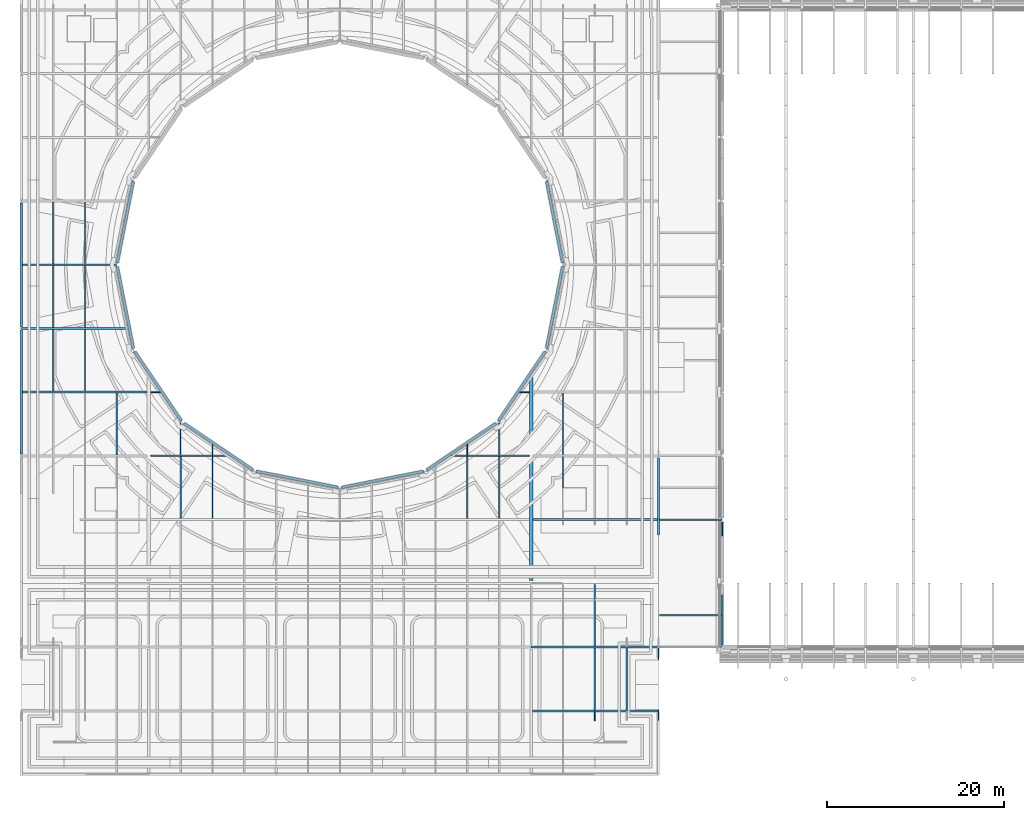
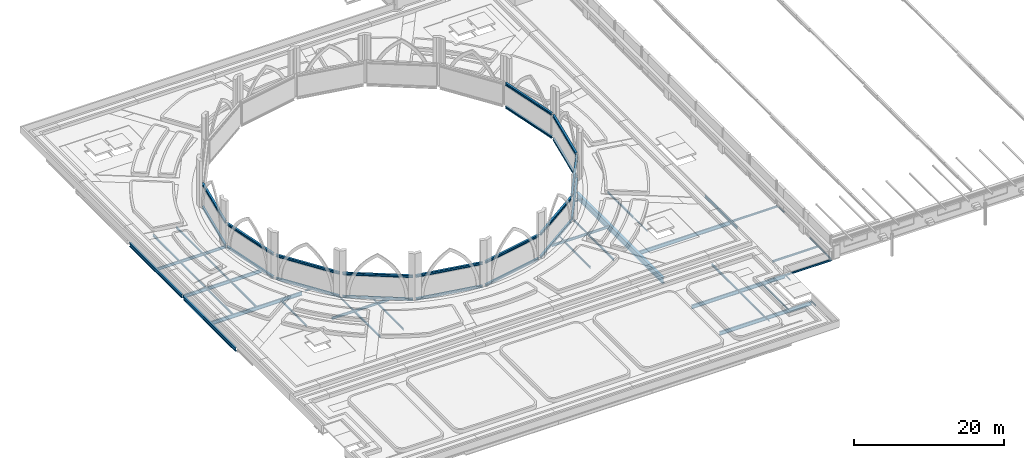
# One storey, part 21 of 110: 62 beams.
"""IFC4 building model written with IfcOpenShell, lengths in metres."""

from ifc_helpers import new_model, si_unit, direction, frame, origin, origin_2d, place, context, subcontext, project, spatial, i_section, extrude, material, material_profile, profile_set, type_object, element, save


model = new_model("IFC4")

# Units and contexts
model_context = context("Model", 3, precision=1e-05, world=origin(), true_north=direction((0.0, 1.0)))
body_context = subcontext(model_context, "Body", "Model", "MODEL_VIEW")
ifc_project = project(units=[si_unit("LENGTHUNIT", "METRE"), si_unit("AREAUNIT", "SQUARE_METRE"), si_unit("VOLUMEUNIT", "CUBIC_METRE"), si_unit("PLANEANGLEUNIT", "RADIAN"), si_unit("MASSUNIT", "GRAM", prefix="KILO")], contexts=[model_context])

# Site, building, storey
site_placement = place(None, origin())
site = spatial("IfcSite", under=ifc_project, at=site_placement, CompositionType="ELEMENT")
building_placement = place(site_placement, origin())
building = spatial("IfcBuilding", under=site, at=building_placement, Name="Kupolbacken Congress Centre", CompositionType="ELEMENT")
storey_placement = place(building_placement, frame((0.0, 0.0, 18.0)))
storey = spatial("IfcBuildingStorey", under=building, at=storey_placement, Name="L05", CompositionType="ELEMENT", Elevation=18.0)

# Beams
ifc_material_1 = material(Name="Steel S355", Category="steel")
ifc_material_profile_1 = material_profile(ifc_material_1, i_section(OverallWidth=0.10009765625, OverallDepth=0.199951171875, WebThickness=0.005615234375, FlangeThickness=0.008544921875, FilletRadius=0.011962890625, at=origin_2d()), Name="IPE 200")
ifc_profile_set_1 = profile_set([ifc_material_profile_1], Name="Steel S355")
beam_type_1 = type_object("IfcBeamType", Name="B01 beam IPE 200", PredefinedType="BEAM", material=ifc_profile_set_1)
beam_1_placement = place(storey_placement, frame((79.199951171875, 34.925048828125, -0.280029296875), z_axis=(0.0, 1.0, 0.0), x_axis=(-1.0, 0.0, 0.0)))
element("IfcBeam", 1, at=beam_1_placement, inside=storey, type_object=beam_type_1, Name="S/floor/F/L05/G012", PredefinedType="BEAM", context=body_context, shape_type="SweptSolid", body=[
    extrude(i_section(OverallWidth=0.10009765625, OverallDepth=0.199951171875, WebThickness=0.005615234375, FlangeThickness=0.008544921875, FilletRadius=0.011962890625, at=origin_2d()), origin(), (0.0, 0.0, 1.0), 1.184814453125),
])
beam_2_placement = place(storey_placement, frame((79.199951171875, 41.75, -0.280029296875), z_axis=(0.0, 1.0, 0.0), x_axis=(-1.0, 0.0, 0.0)))
element("IfcBeam", 2, at=beam_2_placement, inside=storey, type_object=beam_type_1, Name="S/floor/F/L05/G013", PredefinedType="BEAM", context=body_context, shape_type="SweptSolid", body=[
    extrude(i_section(OverallWidth=0.10009765625, OverallDepth=0.199951171875, WebThickness=0.005615234375, FlangeThickness=0.008544921875, FilletRadius=0.011962890625, at=origin_2d()), origin(), (0.0, 0.0, 1.0), 1.300048828125),
])
beam_3_placement = place(storey_placement, frame((72.0, 34.89990234375, -0.280029296875), z_axis=(0.0, 1.0, 0.0), x_axis=(-1.0, 0.0, 0.0)))
element("IfcBeam", 3, at=beam_3_placement, inside=storey, type_object=beam_type_1, Name="S/floor/F/L05/S074", PredefinedType="BEAM", context=body_context, shape_type="SweptSolid", body=[
    extrude(i_section(OverallWidth=0.10009765625, OverallDepth=0.199951171875, WebThickness=0.005615234375, FlangeThickness=0.008544921875, FilletRadius=0.011962890625, at=origin_2d()), origin(), (0.0, 0.0, 1.0), 0.989990234375),
])
for number, where, z_axis, x_axis, name in (
    (4, (21.800048828125, 72.0, -0.280029296875), (1.0, 0.0, 0.0), (0.0, 1.0, 0.0), "S/floor/P/L05/R048"),
    (5, (63.50927734375, 72.0, -0.280029296875), (1.0, 0.0, 0.0), (0.0, 1.0, 0.0), "S/floor/P/L05/R049"),
):
    element("IfcBeam", number, at=place(storey_placement, frame(where, z_axis=z_axis, x_axis=x_axis)), inside=storey, type_object=beam_type_1, Name=name, PredefinedType="BEAM", context=body_context, shape_type="SweptSolid", body=[
        extrude(i_section(OverallWidth=0.10009765625, OverallDepth=0.199951171875, WebThickness=0.005615234375, FlangeThickness=0.008544921875, FilletRadius=0.011962890625, at=origin_2d()), origin(), (0.0, 0.0, 1.0), 1.0908203125),
    ])
for number, where, z_axis, x_axis, name in (
    (6, (28.800048828125, 64.889892578125, -0.280029296875), (0.0, 1.0, 0.0), (-1.0, 0.0, 0.0), "S/floor/P/L05/S104"),
    (7, (57.60009765625, 64.889892578125, -0.280029296875), (0.0, 1.0, 0.0), (-1.0, 0.0, 0.0), "S/floor/P/L05/S130"),
):
    element("IfcBeam", number, at=place(storey_placement, frame(where, z_axis=z_axis, x_axis=x_axis)), inside=storey, type_object=beam_type_1, Name=name, PredefinedType="BEAM", context=body_context, shape_type="SweptSolid", body=[
        extrude(i_section(OverallWidth=0.10009765625, OverallDepth=0.199951171875, WebThickness=0.005615234375, FlangeThickness=0.008544921875, FilletRadius=0.011962890625, at=origin_2d()), origin(), (0.0, 0.0, 1.0), 1.200927734375),
    ])
beam_4_placement = place(storey_placement, frame((68.39990234375, 61.199951171875, -0.280029296875), z_axis=(0.0, 1.0, 0.0), x_axis=(-1.0, 0.0, 0.0)))
element("IfcBeam", 8, at=beam_4_placement, inside=storey, type_object=beam_type_1, Name="S/floor/P/L05/S167", PredefinedType="BEAM", context=body_context, shape_type="SweptSolid", body=[
    extrude(i_section(OverallWidth=0.10009765625, OverallDepth=0.199951171875, WebThickness=0.005615234375, FlangeThickness=0.008544921875, FilletRadius=0.011962890625, at=origin_2d()), origin(), (0.0, 0.0, 1.0), 3.489990234375),
])
beam_5_placement = place(storey_placement, frame((86.39990234375, 55.800048828125, -0.280029296875), z_axis=(0.0, 1.0, 0.0), x_axis=(-1.0, 0.0, 0.0)))
element("IfcBeam", 9, at=beam_5_placement, inside=storey, type_object=beam_type_1, Name="S/floor/LINK/L05/E002", PredefinedType="BEAM", context=body_context, shape_type="SweptSolid", body=[
    extrude(i_section(OverallWidth=0.10009765625, OverallDepth=0.199951171875, WebThickness=0.005615234375, FlangeThickness=0.008544921875, FilletRadius=0.011962890625, at=origin_2d()), origin(), (0.0, 0.0, 1.0), 1.554931640625),
])
ifc_material_2 = material(Name="Steel S355", Category="steel")
ifc_material_profile_2 = material_profile(ifc_material_2, i_section(OverallWidth=0.135009765625, OverallDepth=0.27001953125, WebThickness=0.006591796875, FlangeThickness=0.01025390625, FilletRadius=0.014892578125, at=origin_2d()), Name="IPE 270")
ifc_profile_set_2 = profile_set([ifc_material_profile_2], Name="Steel S355")
beam_type_2 = type_object("IfcBeamType", Name="B03 beam IPE 270", PredefinedType="BEAM", material=ifc_profile_set_2)
for number, where, z_axis, x_axis, name in (
    (10, (25.199951171875, 64.889892578125, -0.31494140625), (0.0, 1.0, 0.0), (-1.0, 0.0, 0.0), "S/floor/P/L05/S098"),
    (11, (61.199951171875, 64.889892578125, -0.31494140625), (0.0, 1.0, 0.0), (-1.0, 0.0, 0.0), "S/floor/P/L05/S136"),
):
    element("IfcBeam", number, at=place(storey_placement, frame(where, z_axis=z_axis, x_axis=x_axis)), inside=storey, type_object=beam_type_2, Name=name, PredefinedType="BEAM", context=body_context, shape_type="SweptSolid", body=[
        extrude(i_section(OverallWidth=0.135009765625, OverallDepth=0.27001953125, WebThickness=0.006591796875, FlangeThickness=0.01025390625, FilletRadius=0.014892578125, at=origin_2d()), origin(), (0.0, 0.0, 1.0), 3.63818359375),
    ])
beam_6_placement = place(storey_placement, frame((86.39990234375, 43.344970703125, -0.31494140625), z_axis=(0.0, 1.0, 0.0), x_axis=(-1.0, 0.0, 0.0)))
element("IfcBeam", 12, at=beam_6_placement, inside=storey, type_object=beam_type_2, Name="S/floor/LINK/L05/E001", PredefinedType="BEAM", context=body_context, shape_type="SweptSolid", body=[
    extrude(i_section(OverallWidth=0.135009765625, OverallDepth=0.27001953125, WebThickness=0.006591796875, FlangeThickness=0.01025390625, FilletRadius=0.014892578125, at=origin_2d()), origin(), (0.0, 0.0, 1.0), 5.755126953125),
])
ifc_material_3 = material(Name="Steel S355", Category="steel")
ifc_material_profile_3 = material_profile(ifc_material_3, i_section(OverallWidth=0.14990234375, OverallDepth=0.300048828125, WebThickness=0.007080078125, FlangeThickness=0.0107421875, FilletRadius=0.014892578125, at=origin_2d()), Name="IPE 300")
ifc_profile_set_3 = profile_set([ifc_material_profile_3], Name="Steel S355")
beam_type_3 = type_object("IfcBeamType", Name="B04 beam IPE 300", PredefinedType="BEAM", material=ifc_profile_set_3)
beam_7_placement = place(storey_placement, frame((72.0, 36.110107421875, -0.330078125), z_axis=(0.0, 1.0, 0.0), x_axis=(-1.0, 0.0, 0.0)))
element("IfcBeam", 13, at=beam_7_placement, inside=storey, type_object=beam_type_3, Name="S/floor/F/L05/S075", PredefinedType="BEAM", context=body_context, shape_type="SweptSolid", body=[
    extrude(i_section(OverallWidth=0.14990234375, OverallDepth=0.300048828125, WebThickness=0.007080078125, FlangeThickness=0.0107421875, FilletRadius=0.014892578125, at=origin_2d()), origin(), (0.0, 0.0, 1.0), 6.97998046875),
])
beam_8_placement = place(storey_placement, frame((72.0, 43.31005859375, -0.330078125), z_axis=(0.0, 1.0, 0.0), x_axis=(-1.0, 0.0, 0.0)))
element("IfcBeam", 14, at=beam_8_placement, inside=storey, type_object=beam_type_3, Name="S/floor/F/L05/S076", PredefinedType="BEAM", context=body_context, shape_type="SweptSolid", body=[
    extrude(i_section(OverallWidth=0.14990234375, OverallDepth=0.300048828125, WebThickness=0.007080078125, FlangeThickness=0.0107421875, FilletRadius=0.014892578125, at=origin_2d()), origin(), (0.0, 0.0, 1.0), 6.96484375),
])
beam_9_placement = place(storey_placement, frame((75.60009765625, 36.110107421875, -0.330078125), z_axis=(0.0, 1.0, 0.0), x_axis=(-1.0, 0.0, 0.0)))
element("IfcBeam", 15, at=beam_9_placement, inside=storey, type_object=beam_type_3, Name="S/floor/F/L05/S078", PredefinedType="BEAM", context=body_context, shape_type="SweptSolid", body=[
    extrude(i_section(OverallWidth=0.14990234375, OverallDepth=0.300048828125, WebThickness=0.007080078125, FlangeThickness=0.0107421875, FilletRadius=0.014892578125, at=origin_2d()), origin(), (0.0, 0.0, 1.0), 6.97998046875),
])
beam_10_placement = place(storey_placement, frame((10.800048828125, 72.110107421875, -0.330078125), z_axis=(0.0, 1.0, 0.0), x_axis=(-1.0, 0.0, 0.0)))
element("IfcBeam", 16, at=beam_10_placement, inside=storey, type_object=beam_type_3, Name="S/floor/P/L05/S078", PredefinedType="BEAM", context=body_context, shape_type="SweptSolid", body=[
    extrude(i_section(OverallWidth=0.14990234375, OverallDepth=0.300048828125, WebThickness=0.007080078125, FlangeThickness=0.0107421875, FilletRadius=0.014892578125, at=origin_2d()), origin(), (0.0, 0.0, 1.0), 6.98486328125),
])
for number, where, z_axis, x_axis, name in (
    (17, (10.800048828125, 79.304931640625, -0.330078125), (0.0, 1.0, 0.0), (-1.0, 0.0, 0.0), "S/floor/P/L05/S079"),
    (18, (10.800048828125, 86.4951171875, -0.330078125), (0.0, 1.0, 0.0), (-1.0, 0.0, 0.0), "S/floor/P/L05/S080"),
):
    element("IfcBeam", number, at=place(storey_placement, frame(where, z_axis=z_axis, x_axis=x_axis)), inside=storey, type_object=beam_type_3, Name=name, PredefinedType="BEAM", context=body_context, shape_type="SweptSolid", body=[
        extrude(i_section(OverallWidth=0.14990234375, OverallDepth=0.300048828125, WebThickness=0.007080078125, FlangeThickness=0.0107421875, FilletRadius=0.014892578125, at=origin_2d()), origin(), (0.0, 0.0, 1.0), 7.0),
    ])
beam_11_placement = place(storey_placement, frame((14.39990234375, 72.110107421875, -0.330078125), z_axis=(0.0, 1.0, 0.0), x_axis=(-1.0, 0.0, 0.0)))
element("IfcBeam", 19, at=beam_11_placement, inside=storey, type_object=beam_type_3, Name="S/floor/P/L05/S088", PredefinedType="BEAM", context=body_context, shape_type="SweptSolid", body=[
    extrude(i_section(OverallWidth=0.14990234375, OverallDepth=0.300048828125, WebThickness=0.007080078125, FlangeThickness=0.0107421875, FilletRadius=0.014892578125, at=origin_2d()), origin(), (0.0, 0.0, 1.0), 6.98486328125),
])
for number, where, z_axis, x_axis, name in (
    (20, (14.39990234375, 79.304931640625, -0.330078125), (0.0, 1.0, 0.0), (-1.0, 0.0, 0.0), "S/floor/P/L05/S089"),
    (21, (14.39990234375, 86.4951171875, -0.330078125), (0.0, 1.0, 0.0), (-1.0, 0.0, 0.0), "S/floor/P/L05/S090"),
    (22, (25.199951171875, 57.7099609375, -0.330078125), (0.0, 1.0, 0.0), (-1.0, 0.0, 0.0), "S/floor/P/L05/S097"),
    (23, (28.800048828125, 57.7099609375, -0.330078125), (0.0, 1.0, 0.0), (-1.0, 0.0, 0.0), "S/floor/P/L05/S103"),
    (24, (57.60009765625, 57.7099609375, -0.330078125), (0.0, 1.0, 0.0), (-1.0, 0.0, 0.0), "S/floor/P/L05/S129"),
    (25, (61.199951171875, 57.7099609375, -0.330078125), (0.0, 1.0, 0.0), (-1.0, 0.0, 0.0), "S/floor/P/L05/S135"),
):
    element("IfcBeam", number, at=place(storey_placement, frame(where, z_axis=z_axis, x_axis=x_axis)), inside=storey, type_object=beam_type_3, Name=name, PredefinedType="BEAM", context=body_context, shape_type="SweptSolid", body=[
        extrude(i_section(OverallWidth=0.14990234375, OverallDepth=0.300048828125, WebThickness=0.007080078125, FlangeThickness=0.0107421875, FilletRadius=0.014892578125, at=origin_2d()), origin(), (0.0, 0.0, 1.0), 7.0),
    ])
for number, where, z_axis, x_axis, name in (
    (26, (18.0, 64.909912109375, -0.330078125), (0.0, 1.0, 0.0), (-1.0, 0.0, 0.0), "S/floor/P/L05/S164"),
    (27, (68.39990234375, 64.909912109375, -0.330078125), (0.0, 1.0, 0.0), (-1.0, 0.0, 0.0), "S/floor/P/L05/S168"),
):
    element("IfcBeam", number, at=place(storey_placement, frame(where, z_axis=z_axis, x_axis=x_axis)), inside=storey, type_object=beam_type_3, Name=name, PredefinedType="BEAM", context=body_context, shape_type="SweptSolid", body=[
        extrude(i_section(OverallWidth=0.14990234375, OverallDepth=0.300048828125, WebThickness=0.007080078125, FlangeThickness=0.0107421875, FilletRadius=0.014892578125, at=origin_2d()), origin(), (0.0, 0.0, 1.0), 6.97998046875),
    ])
beam_12_placement = place(storey_placement, frame((79.20556640625, 43.199951171875, -0.330078125), z_axis=(1.0, 0.0, 0.0), x_axis=(0.0, 1.0, 0.0)))
element("IfcBeam", 28, at=beam_12_placement, inside=storey, type_object=beam_type_3, Name="S/floor/LINK/L05/R010", PredefinedType="BEAM", context=body_context, shape_type="SweptSolid", body=[
    extrude(i_section(OverallWidth=0.14990234375, OverallDepth=0.300048828125, WebThickness=0.007080078125, FlangeThickness=0.0107421875, FilletRadius=0.014892578125, at=origin_2d()), origin(), (0.0, 0.0, 1.0), 7.190185546875),
])
beam_13_placement = place(storey_placement, frame((79.324951171875, 46.800048828125, -0.330078125), z_axis=(1.0, 0.0, 0.0), x_axis=(0.0, 1.0, 0.0)))
element("IfcBeam", 29, at=beam_13_placement, inside=storey, type_object=beam_type_3, Name="S/floor/LINK/L05/R011", PredefinedType="BEAM", context=body_context, shape_type="SweptSolid", body=[
    extrude(i_section(OverallWidth=0.14990234375, OverallDepth=0.300048828125, WebThickness=0.007080078125, FlangeThickness=0.0107421875, FilletRadius=0.014892578125, at=origin_2d()), origin(), (0.0, 0.0, 1.0), 7.007568359375),
])
beam_14_placement = place(storey_placement, frame((79.2900390625, 57.60009765625, -0.330078125), z_axis=(1.0, 0.0, 0.0), x_axis=(0.0, 1.0, 0.0)))
element("IfcBeam", 30, at=beam_14_placement, inside=storey, type_object=beam_type_3, Name="S/floor/LINK/L05/R012", PredefinedType="BEAM", context=body_context, shape_type="SweptSolid", body=[
    extrude(i_section(OverallWidth=0.14990234375, OverallDepth=0.300048828125, WebThickness=0.007080078125, FlangeThickness=0.0107421875, FilletRadius=0.014892578125, at=origin_2d()), origin(), (0.0, 0.0, 1.0), 7.10400390625),
])
ifc_material_4 = material(Name="Steel S355", Category="steel")
ifc_material_profile_4 = material_profile(ifc_material_4, i_section(OverallWidth=0.179931640625, OverallDepth=0.39990234375, WebThickness=0.008544921875, FlangeThickness=0.013427734375, FilletRadius=0.02099609375, at=origin_2d()), Name="IPE 400")
ifc_profile_set_4 = profile_set([ifc_material_profile_4], Name="Steel S355")
beam_type_4 = type_object("IfcBeamType", Name="B07 beam IPE 400", PredefinedType="BEAM", material=ifc_profile_set_4)
beam_15_placement = place(storey_placement, frame((79.199951171875, 55.85009765625, -0.3798828125), z_axis=(0.0, 1.0, 0.0), x_axis=(-1.0, 0.0, 0.0)))
element("IfcBeam", 31, at=beam_15_placement, inside=storey, type_object=beam_type_4, Name="S/floor/P/L05/G032", PredefinedType="BEAM", context=body_context, shape_type="SweptSolid", body=[
    extrude(i_section(OverallWidth=0.179931640625, OverallDepth=0.39990234375, WebThickness=0.008544921875, FlangeThickness=0.013427734375, FilletRadius=0.02099609375, at=origin_2d()), origin(), (0.0, 0.0, 1.0), 8.724853515625),
])
beam_16_placement = place(storey_placement, frame((21.800048828125, 64.800048828125, -0.3798828125), z_axis=(1.0, 0.0, 0.0), x_axis=(0.0, 1.0, 0.0)))
element("IfcBeam", 32, at=beam_16_placement, inside=storey, type_object=beam_type_4, Name="S/floor/P/L05/R044", PredefinedType="BEAM", context=body_context, shape_type="SweptSolid", body=[
    extrude(i_section(OverallWidth=0.179931640625, OverallDepth=0.39990234375, WebThickness=0.008544921875, FlangeThickness=0.013427734375, FilletRadius=0.02099609375, at=origin_2d()), origin(), (0.0, 0.0, 1.0), 8.829345703125),
])
beam_17_placement = place(storey_placement, frame((55.7705078125, 64.800048828125, -0.3798828125), z_axis=(1.0, 0.0, 0.0), x_axis=(0.0, 1.0, 0.0)))
element("IfcBeam", 33, at=beam_17_placement, inside=storey, type_object=beam_type_4, Name="S/floor/P/L05/R045", PredefinedType="BEAM", context=body_context, shape_type="SweptSolid", body=[
    extrude(i_section(OverallWidth=0.179931640625, OverallDepth=0.39990234375, WebThickness=0.008544921875, FlangeThickness=0.013427734375, FilletRadius=0.02099609375, at=origin_2d()), origin(), (0.0, 0.0, 1.0), 8.82958984375),
])
ifc_material_5 = material(Name="Steel S355", Category="steel")
ifc_material_profile_5 = material_profile(ifc_material_5, i_section(OverallWidth=0.18994140625, OverallDepth=0.449951171875, WebThickness=0.009521484375, FlangeThickness=0.0146484375, FilletRadius=0.02099609375, at=origin_2d()), Name="IPE 450")
ifc_profile_set_5 = profile_set([ifc_material_profile_5], Name="Steel S355")
beam_type_5 = type_object("IfcBeamType", Name="B08 beam IPE 450", PredefinedType="BEAM", material=ifc_profile_set_5)
beam_18_placement = place(storey_placement, frame((7.35009765625, 86.39990234375, -0.405029296875), z_axis=(1.0, 0.0, 0.0), x_axis=(0.0, 1.0, 0.0)))
element("IfcBeam", 34, at=beam_18_placement, inside=storey, type_object=beam_type_5, Name="S/floor/P/L05/R053", PredefinedType="BEAM", context=body_context, shape_type="SweptSolid", body=[
    extrude(i_section(OverallWidth=0.18994140625, OverallDepth=0.449951171875, WebThickness=0.009521484375, FlangeThickness=0.0146484375, FilletRadius=0.02099609375, at=origin_2d()), origin(), (0.0, 0.0, 1.0), 10.64306640625),
])
ifc_material_6 = material(Name="Steel S355", Category="steel")
ifc_material_profile_6 = material_profile(ifc_material_6, i_section(OverallWidth=0.2099609375, OverallDepth=0.550048828125, WebThickness=0.010986328125, FlangeThickness=0.01708984375, FilletRadius=0.02392578125, at=origin_2d()), Name="IPE 550")
ifc_profile_set_6 = profile_set([ifc_material_profile_6], Name="Steel S355")
beam_type_6 = type_object("IfcBeamType", Name="B10 beam IPE 550", PredefinedType="BEAM", material=ifc_profile_set_6)
beam_19_placement = place(storey_placement, frame((7.20703125, 79.199951171875, -0.455078125), z_axis=(1.0, 0.0, 0.0), x_axis=(0.0, 1.0, 0.0)))
element("IfcBeam", 35, at=beam_19_placement, inside=storey, type_object=beam_type_6, Name="S/floor/P/L05/R051", PredefinedType="BEAM", context=body_context, shape_type="SweptSolid", body=[
    extrude(i_section(OverallWidth=0.2099609375, OverallDepth=0.550048828125, WebThickness=0.010986328125, FlangeThickness=0.01708984375, FilletRadius=0.02392578125, at=origin_2d()), origin(), (0.0, 0.0, 1.0), 12.037109375),
])
ifc_material_7 = material(Name="Steel S355", Category="steel")
ifc_material_profile_7 = material_profile(ifc_material_7, i_section(OverallWidth=0.219970703125, OverallDepth=0.60009765625, WebThickness=0.011962890625, FlangeThickness=0.01904296875, FilletRadius=0.02392578125, at=origin_2d()), Name="IPE 600")
ifc_profile_set_7 = profile_set([ifc_material_profile_7], Name="Steel S355")
beam_type_7 = type_object("IfcBeamType", Name="B11 beam IPE 600", PredefinedType="BEAM", material=ifc_profile_set_7)
beam_20_placement = place(storey_placement, frame((64.949951171875, 36.0, -0.47998046875), z_axis=(1.0, 0.0, 0.0), x_axis=(0.0, 1.0, 0.0)))
element("IfcBeam", 36, at=beam_20_placement, inside=storey, type_object=beam_type_7, Name="S/floor/F/L05/R024", PredefinedType="BEAM", context=body_context, shape_type="SweptSolid", body=[
    extrude(i_section(OverallWidth=0.219970703125, OverallDepth=0.60009765625, WebThickness=0.011962890625, FlangeThickness=0.01904296875, FilletRadius=0.02392578125, at=origin_2d()), origin(), (0.0, 0.0, 1.0), 14.199951171875),
])
beam_21_placement = place(storey_placement, frame((64.807861328125, 43.199951171875, -0.47998046875), z_axis=(1.0, 0.0, 0.0), x_axis=(0.0, 1.0, 0.0)))
element("IfcBeam", 37, at=beam_21_placement, inside=storey, type_object=beam_type_7, Name="S/floor/F/L05/R029", PredefinedType="BEAM", context=body_context, shape_type="SweptSolid", body=[
    extrude(i_section(OverallWidth=0.219970703125, OverallDepth=0.60009765625, WebThickness=0.011962890625, FlangeThickness=0.01904296875, FilletRadius=0.02392578125, at=origin_2d()), origin(), (0.0, 0.0, 1.0), 14.38671875),
])
beam_22_placement = place(storey_placement, frame((65.0, 57.60009765625, -0.47998046875), z_axis=(1.0, 0.0, 0.0), x_axis=(0.0, 1.0, 0.0)))
element("IfcBeam", 38, at=beam_22_placement, inside=storey, type_object=beam_type_7, Name="S/floor/P/L05/R042", PredefinedType="BEAM", context=body_context, shape_type="SweptSolid", body=[
    extrude(i_section(OverallWidth=0.219970703125, OverallDepth=0.60009765625, WebThickness=0.011962890625, FlangeThickness=0.01904296875, FilletRadius=0.02392578125, at=origin_2d()), origin(), (0.0, 0.0, 1.0), 14.110107421875),
])
beam_23_placement = place(storey_placement, frame((7.35009765625, 72.0, -0.47998046875), z_axis=(1.0, 0.0, 0.0), x_axis=(0.0, 1.0, 0.0)))
element("IfcBeam", 39, at=beam_23_placement, inside=storey, type_object=beam_type_7, Name="S/floor/P/L05/R047", PredefinedType="BEAM", context=body_context, shape_type="SweptSolid", body=[
    extrude(i_section(OverallWidth=0.219970703125, OverallDepth=0.60009765625, WebThickness=0.011962890625, FlangeThickness=0.01904296875, FilletRadius=0.02392578125, at=origin_2d()), origin(), (0.0, 0.0, 1.0), 14.0498046875),
])
ifc_material_8 = material(Name="Steel S355", Category="steel")
ifc_material_profile_8 = material_profile(ifc_material_8, i_section(OverallWidth=0.300048828125, OverallDepth=0.35009765625, WebThickness=0.010009765625, FlangeThickness=0.017578125, FilletRadius=0.027099609375, at=origin_2d()), Name="HEA 360")
ifc_profile_set_8 = profile_set([ifc_material_profile_8], Name="Steel S355")
beam_type_8 = type_object("IfcBeamType", Name="B13 beam HEA 360", PredefinedType="BEAM", material=ifc_profile_set_8)
for number, where, z_axis, x_axis, name in (
    (40, (68.360595703125, 86.60009765625, -0.35498046875), (-0.193191886678, 0.981160993376, 0.0), (-0.981160993376, -0.193191886678, 0.0), "S/floor/P/L05/C001"),
    (41, (19.860595703125, 95.849853515625, -0.35498046875), (-0.193191886678, -0.981160993376, 0.0), (0.981160993376, -0.193191886678, 0.0), "S/floor/P/L05/C008"),
    (42, (18.039306640625, 86.199951171875, -0.35498046875), (0.193191886678, -0.981160993376, 0.0), (0.981160993376, 0.193191886678, 0.0), "S/floor/P/L05/C009"),
):
    element("IfcBeam", number, at=place(storey_placement, frame(where, z_axis=z_axis, x_axis=x_axis)), inside=storey, type_object=beam_type_8, Name=name, PredefinedType="BEAM", context=body_context, shape_type="SweptSolid", body=[
        extrude(i_section(OverallWidth=0.300048828125, OverallDepth=0.35009765625, WebThickness=0.010009765625, FlangeThickness=0.017578125, FilletRadius=0.027099609375, at=origin_2d()), origin(), (0.0, 0.0, 1.0), 9.42724609375),
    ])
for number, where, z_axis, x_axis, name in (
    (43, (20.01416015625, 76.580810546875, -0.35498046875), (0.55939009895, -0.828904528397, 0.0), (0.828904528397, 0.55939009895, 0.0), "S/floor/P/L05/C010"),
    (44, (25.56884765625, 68.486083984375, -0.35498046875), (0.828904528397, -0.55939009895, 0.0), (0.55939009895, 0.828904528397, 0.0), "S/floor/P/L05/C011"),
):
    element("IfcBeam", number, at=place(storey_placement, frame(where, z_axis=z_axis, x_axis=x_axis)), inside=storey, type_object=beam_type_8, Name=name, PredefinedType="BEAM", context=body_context, shape_type="SweptSolid", body=[
        extrude(i_section(OverallWidth=0.300048828125, OverallDepth=0.35009765625, WebThickness=0.010009765625, FlangeThickness=0.017578125, FilletRadius=0.027099609375, at=origin_2d()), origin(), (0.0, 0.0, 1.0), 9.424560546875),
    ])
beam_24_placement = place(storey_placement, frame((33.750244140625, 63.060546875, -0.35498046875), z_axis=(0.981160993376, -0.193191886678, 0.0), x_axis=(0.193191886678, 0.981160993376, 0.0)))
element("IfcBeam", 45, at=beam_24_placement, inside=storey, type_object=beam_type_8, Name="S/floor/P/L05/C012", PredefinedType="BEAM", context=body_context, shape_type="SweptSolid", body=[
    extrude(i_section(OverallWidth=0.300048828125, OverallDepth=0.35009765625, WebThickness=0.010009765625, FlangeThickness=0.017578125, FilletRadius=0.027099609375, at=origin_2d()), origin(), (0.0, 0.0, 1.0), 9.42724609375),
])
beam_25_placement = place(storey_placement, frame((43.39990234375, 61.2392578125, -0.35498046875), z_axis=(0.981161959896, 0.193186977957, 0.0), x_axis=(-0.193186977957, 0.981161959896, 0.0)))
element("IfcBeam", 46, at=beam_25_placement, inside=storey, type_object=beam_type_8, Name="S/floor/P/L05/C013", PredefinedType="BEAM", context=body_context, shape_type="SweptSolid", body=[
    extrude(i_section(OverallWidth=0.300048828125, OverallDepth=0.35009765625, WebThickness=0.010009765625, FlangeThickness=0.017578125, FilletRadius=0.027099609375, at=origin_2d()), origin(), (0.0, 0.0, 1.0), 9.427490234375),
])
for number, where, z_axis, x_axis, name in (
    (47, (53.019287109375, 63.214111328125, -0.35498046875), (0.828896422049, 0.559402110752, 0.0), (-0.559402110752, 0.828896422049, 0.0), "S/floor/P/L05/C014"),
    (48, (61.114013671875, 68.768798828125, -0.35498046875), (0.559372299764, 0.828916539983, 0.0), (-0.828916539983, 0.559372299764, 0.0), "S/floor/P/L05/C015"),
):
    element("IfcBeam", number, at=place(storey_placement, frame(where, z_axis=z_axis, x_axis=x_axis)), inside=storey, type_object=beam_type_8, Name=name, PredefinedType="BEAM", context=body_context, shape_type="SweptSolid", body=[
        extrude(i_section(OverallWidth=0.300048828125, OverallDepth=0.35009765625, WebThickness=0.010009765625, FlangeThickness=0.017578125, FilletRadius=0.027099609375, at=origin_2d()), origin(), (0.0, 0.0, 1.0), 9.42431640625),
    ])
beam_26_placement = place(storey_placement, frame((66.539306640625, 76.9501953125, -0.35498046875), z_axis=(0.193191886678, 0.981160993376, 0.0), x_axis=(-0.981160993376, 0.193191886678, 0.0)))
element("IfcBeam", 49, at=beam_26_placement, inside=storey, type_object=beam_type_8, Name="S/floor/P/L05/C016", PredefinedType="BEAM", context=body_context, shape_type="SweptSolid", body=[
    extrude(i_section(OverallWidth=0.300048828125, OverallDepth=0.35009765625, WebThickness=0.010009765625, FlangeThickness=0.017578125, FilletRadius=0.027099609375, at=origin_2d()), origin(), (0.0, 0.0, 1.0), 9.42724609375),
])
ifc_material_9 = material(Name="Steel S355", Category="steel")
ifc_material_profile_9 = material_profile(ifc_material_9, i_section(OverallWidth=0.300048828125, OverallDepth=0.389892578125, WebThickness=0.010986328125, FlangeThickness=0.01904296875, FilletRadius=0.027099609375, at=origin_2d()), Name="HEA 400")
ifc_profile_set_9 = profile_set([ifc_material_profile_9], Name="Steel S355")
beam_type_9 = type_object("IfcBeamType", Name="B14 beam HEA 400", PredefinedType="BEAM", material=ifc_profile_set_9)
for number, where, z_axis, x_axis, name in (
    (50, (20.008544921875, 76.589111328125, 3.405029296875), (0.559392050563, -0.828903211338, 0.0), (0.828903211338, 0.559392050563, 0.0), "DR/G216/01"),
    (51, (25.560546875, 68.49169921875, 3.405029296875), (0.828903211338, -0.559392050563, 0.0), (0.559392050563, 0.828903211338, 0.0), "DR/G216/02"),
):
    element("IfcBeam", number, at=place(storey_placement, frame(where, z_axis=z_axis, x_axis=x_axis)), inside=storey, type_object=beam_type_9, Name=name, PredefinedType="BEAM", context=body_context, shape_type="SweptSolid", body=[
        extrude(i_section(OverallWidth=0.300048828125, OverallDepth=0.389892578125, WebThickness=0.010986328125, FlangeThickness=0.01904296875, FilletRadius=0.027099609375, at=origin_2d()), origin(), (0.0, 0.0, 1.0), 9.444580078125),
    ])
for number, where, z_axis, x_axis, name in (
    (52, (33.740234375, 63.0625, 3.405029296875), (0.981165641699, -0.193168277805, 0.0), (0.193168277805, 0.981165641699, 0.0), "DR/G216/03"),
    (53, (43.39013671875, 61.237548828125, 3.405029296875), (0.981165641699, 0.193168277805, 0.0), (-0.193168277805, 0.981165641699, 0.0), "DR/G216/04"),
):
    element("IfcBeam", number, at=place(storey_placement, frame(where, z_axis=z_axis, x_axis=x_axis)), inside=storey, type_object=beam_type_9, Name=name, PredefinedType="BEAM", context=body_context, shape_type="SweptSolid", body=[
        extrude(i_section(OverallWidth=0.300048828125, OverallDepth=0.389892578125, WebThickness=0.010986328125, FlangeThickness=0.01904296875, FilletRadius=0.027099609375, at=origin_2d()), origin(), (0.0, 0.0, 1.0), 9.447509765625),
    ])
for number, where, z_axis, x_axis, name in (
    (54, (53.010986328125, 63.20849609375, 3.405029296875), (0.828895122138, 0.559404036896, 0.0), (-0.559404036896, 0.828895122138, 0.0), "DR/G216/05"),
    (55, (61.1083984375, 68.760498046875, 3.405029296875), (0.559374289208, 0.828915197456, 0.0), (-0.828915197456, 0.559374289208, 0.0), "DR/G216/06"),
):
    element("IfcBeam", number, at=place(storey_placement, frame(where, z_axis=z_axis, x_axis=x_axis)), inside=storey, type_object=beam_type_9, Name=name, PredefinedType="BEAM", context=body_context, shape_type="SweptSolid", body=[
        extrude(i_section(OverallWidth=0.300048828125, OverallDepth=0.389892578125, WebThickness=0.010986328125, FlangeThickness=0.01904296875, FilletRadius=0.027099609375, at=origin_2d()), origin(), (0.0, 0.0, 1.0), 9.4443359375),
    ])
beam_27_placement = place(storey_placement, frame((66.53759765625, 76.9404296875, 3.405029296875), z_axis=(0.193173175746, 0.981164677397, 0.0), x_axis=(-0.981164677397, 0.193173175746, 0.0)))
element("IfcBeam", 56, at=beam_27_placement, inside=storey, type_object=beam_type_9, Name="DR/G216/07", PredefinedType="BEAM", context=body_context, shape_type="SweptSolid", body=[
    extrude(i_section(OverallWidth=0.300048828125, OverallDepth=0.389892578125, WebThickness=0.010986328125, FlangeThickness=0.01904296875, FilletRadius=0.027099609375, at=origin_2d()), origin(), (0.0, 0.0, 1.0), 9.447265625),
])
for number, where, z_axis, x_axis, name in (
    (57, (68.362548828125, 86.590087890625, 3.405029296875), (-0.193168277805, 0.981165641699, 0.0), (-0.981165641699, -0.193168277805, 0.0), "DR/G216/08"),
    (58, (19.862548828125, 95.859619140625, 3.405029296875), (-0.193193155264, -0.981160743588, 0.0), (0.981160743588, -0.193193155264, 0.0), "DR/G216/15"),
):
    element("IfcBeam", number, at=place(storey_placement, frame(where, z_axis=z_axis, x_axis=x_axis)), inside=storey, type_object=beam_type_9, Name=name, PredefinedType="BEAM", context=body_context, shape_type="SweptSolid", body=[
        extrude(i_section(OverallWidth=0.300048828125, OverallDepth=0.389892578125, WebThickness=0.010986328125, FlangeThickness=0.01904296875, FilletRadius=0.027099609375, at=origin_2d()), origin(), (0.0, 0.0, 1.0), 9.447509765625),
    ])
beam_28_placement = place(storey_placement, frame((18.037353515625, 86.209716796875, 3.405029296875), z_axis=(0.193198053787, -0.981159779044, 0.0), x_axis=(0.981159779044, 0.193198053787, 0.0)))
element("IfcBeam", 59, at=beam_28_placement, inside=storey, type_object=beam_type_9, Name="DR/G216/16", PredefinedType="BEAM", context=body_context, shape_type="SweptSolid", body=[
    extrude(i_section(OverallWidth=0.300048828125, OverallDepth=0.389892578125, WebThickness=0.010986328125, FlangeThickness=0.01904296875, FilletRadius=0.027099609375, at=origin_2d()), origin(), (0.0, 0.0, 1.0), 9.447265625),
])
ifc_material_10 = material(Name="Steel S355", Category="steel")
ifc_material_profile_10 = material_profile(ifc_material_10, i_section(OverallWidth=0.300048828125, OverallDepth=0.60009765625, WebThickness=0.015380859375, FlangeThickness=0.030029296875, FilletRadius=0.027099609375, at=origin_2d()), Name="HEB 600")
ifc_profile_set_10 = profile_set([ifc_material_profile_10], Name="Steel S355")
beam_type_10 = type_object("IfcBeamType", Name="B15 beam HEB 600", PredefinedType="BEAM", material=ifc_profile_set_10)
beam_29_placement = place(storey_placement, frame((7.199951171875, 65.02490234375, -0.47998046875), z_axis=(0.0, 1.0, 0.0), x_axis=(-1.0, 0.0, 0.0)))
element("IfcBeam", 60, at=beam_29_placement, inside=storey, type_object=beam_type_10, Name="S/floor/P/L05/G018", PredefinedType="BEAM", context=body_context, shape_type="SweptSolid", body=[
    extrude(i_section(OverallWidth=0.300048828125, OverallDepth=0.60009765625, WebThickness=0.015380859375, FlangeThickness=0.030029296875, FilletRadius=0.027099609375, at=origin_2d()), origin(), (0.0, 0.0, 1.0), 13.9501953125),
])
beam_30_placement = place(storey_placement, frame((7.199951171875, 79.425048828125, -0.47998046875), z_axis=(0.0, 1.0, 0.0), x_axis=(-1.0, 0.0, 0.0)))
element("IfcBeam", 61, at=beam_30_placement, inside=storey, type_object=beam_type_10, Name="S/floor/P/L05/G019", PredefinedType="BEAM", context=body_context, shape_type="SweptSolid", body=[
    extrude(i_section(OverallWidth=0.300048828125, OverallDepth=0.60009765625, WebThickness=0.015380859375, FlangeThickness=0.030029296875, FilletRadius=0.027099609375, at=origin_2d()), origin(), (0.0, 0.0, 1.0), 13.949951171875),
])
ifc_material_11 = material(Name="Steel S355", Category="steel")
ifc_material_profile_11 = material_profile(ifc_material_11, i_section(OverallWidth=0.39990234375, OverallDepth=1.0, WebThickness=0.02197265625, FlangeThickness=0.044921875, at=origin_2d()), Name="PG 1000 x 400")
ifc_profile_set_11 = profile_set([ifc_material_profile_11], Name="Steel S355")
beam_type_11 = type_object("IfcBeamType", Name="B23 beam PG 1000 x 400", PredefinedType="BEAM", material=ifc_profile_set_11)
beam_31_placement = place(storey_placement, frame((64.800048828125, 50.699951171875, -0.679931640625), z_axis=(0.0, 1.0, 0.0), x_axis=(-1.0, 0.0, 0.0)))
element("IfcBeam", 62, at=beam_31_placement, inside=storey, type_object=beam_type_11, Name="S/floor/P/L05/G029", PredefinedType="BEAM", context=body_context, shape_type="SweptSolid", body=[
    extrude(i_section(OverallWidth=0.39990234375, OverallDepth=1.0, WebThickness=0.02197265625, FlangeThickness=0.044921875, at=origin_2d()), origin(), (0.0, 0.0, 1.0), 22.966552734375),
])

save(model, "model.ifc")
